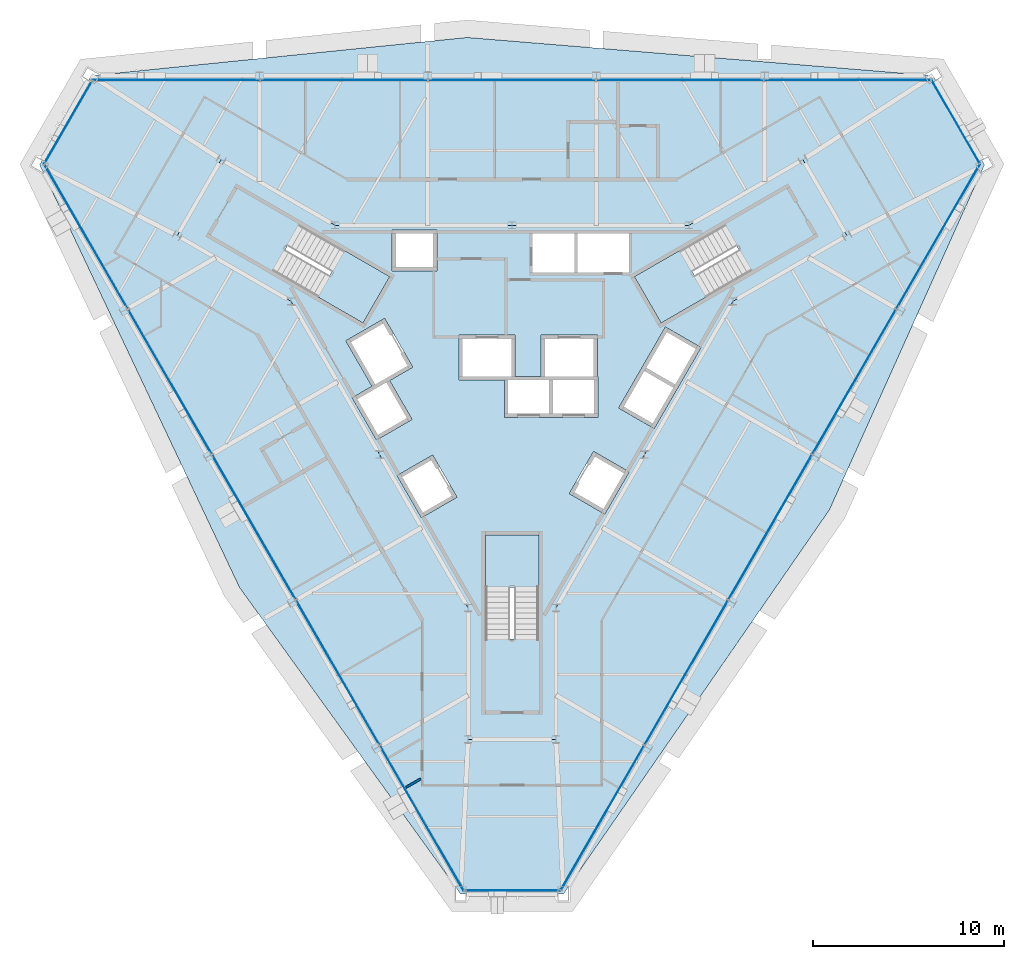
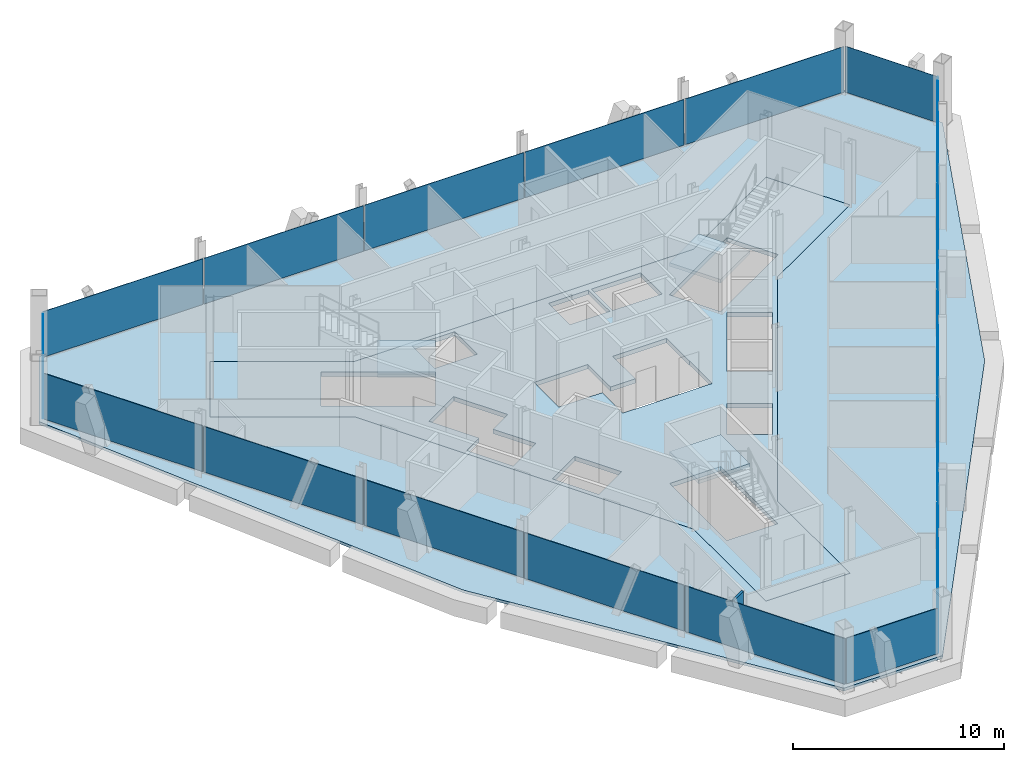
# One storey, part 8 of 14: 18 plates, 5 slabs, 1 wall, 9 elements without a shape of their own.
"""IFC4 building model written with IfcOpenShell, lengths in metres."""

from ifc_helpers import new_model, si_unit, direction, frame, frame_2d, origin, origin_2d, place, context, subcontext, project, spatial, polyline, rectangle, outline, extrude, material, layer, layer_set, type_object, element, aggregate, save


model = new_model("IFC4")

# Units and contexts
model_context = context("Model", 3, precision=1e-05, world=origin(), true_north=direction((0.0, 1.0)))
body_context = subcontext(model_context, "Body", "Model", "MODEL_VIEW")
ifc_project = project(units=[si_unit("LENGTHUNIT", "METRE"), si_unit("AREAUNIT", "SQUARE_METRE"), si_unit("VOLUMEUNIT", "CUBIC_METRE"), si_unit("PLANEANGLEUNIT", "RADIAN"), si_unit("MASSUNIT", "GRAM", prefix="KILO")], contexts=[model_context])

# Site, building, storey
site_placement = place(None, origin())
site = spatial("IfcSite", under=ifc_project, at=site_placement, CompositionType="ELEMENT")
building_placement = place(site_placement, origin())
building = spatial("IfcBuilding", under=site, at=building_placement, Name="Verrane Prism Tower", CompositionType="ELEMENT")
storey_placement = place(building_placement, frame((0.0, 0.0, 221.199951171875)))
storey = spatial("IfcBuildingStorey", under=building, at=storey_placement, Name="L55", CompositionType="ELEMENT", Elevation=221.199951171875)

# Slabs
ifc_material_1 = material(Name="Concrete C35/45", Category="concrete")
ifc_layer_1 = layer(ifc_material_1, 0.159912109375)
ifc_layer_set_1 = layer_set([ifc_layer_1], Name="Composite floor slab")
slab_type_1 = type_object("IfcSlabType", Name="Composite floor slab", PredefinedType="FLOOR", material=ifc_layer_set_1)
slab_1_placement = place(storey_placement, frame((0.0, 0.0, -0.159912109375)))
element("IfcSlab", 1, at=slab_1_placement, inside=storey, type_object=slab_type_1, Name="Floor slab L55", PredefinedType="FLOOR", context=body_context, shape_type="SweptSolid", body=[
    extrude(outline(polyline([(16.6162109375, -6.880126953125), (2.695068359375, -26.9921875), (-2.695068359375, -26.9921875), (-14.266357421875, -10.949951171875), (-24.723388671875, 11.162109375), (-22.0283203125, 15.830078125), (-2.349609375, 17.830078125), (22.0283203125, 15.830078125), (24.723388671875, 11.162109375), (16.6162109375, -6.880126953125)]), holes=[polyline([(17.52001953125, 7.4599609375), (15.219970703125, 11.43994140625), (9.260009765625, 8.0), (0.0, 8.0), (-9.260009765625, 8.0), (-15.219970703125, 11.43994140625), (-17.52001953125, 7.4599609375), (-11.56005859375, 4.02001953125), (-6.929931640625, -4.0), (-2.300048828125, -12.02001953125), (-2.300048828125, -18.89990234375), (2.300048828125, -18.89990234375), (2.300048828125, -12.02001953125), (6.929931640625, -4.0), (11.56005859375, 4.02001953125), (17.52001953125, 7.4599609375)])]), origin(), (0.0, 0.0, 1.0), 0.159912109375),
])
ifc_material_2 = material(Name="Concrete C40/50", Category="concrete")
ifc_layer_2 = layer(ifc_material_2, 0.25)
ifc_layer_set_2 = layer_set([ifc_layer_2], Name="Core floor slab 250 concrete C40/50")
slab_type_2 = type_object("IfcSlabType", Name="Core floor slab 250 concrete C40/50", PredefinedType="FLOOR", material=ifc_layer_set_2)
slab_2_placement = place(storey_placement, frame((0.0, 0.0, -0.25)))
element("IfcSlab", 2, at=slab_2_placement, inside=storey, type_object=slab_type_2, Name="Core floor L55", PredefinedType="FLOOR", context=body_context, shape_type="SweptSolid", body=[
    extrude(outline(polyline([(11.56005859375, 4.02001953125), (17.52001953125, 7.4599609375), (15.219970703125, 11.43994140625), (9.260009765625, 8.0), (0.0, 8.0), (-9.260009765625, 8.0), (-15.219970703125, 11.43994140625), (-17.52001953125, 7.4599609375), (-11.56005859375, 4.02001953125), (-6.929931640625, -4.0), (-2.300048828125, -12.02001953125), (-2.300048828125, -18.89990234375), (2.300048828125, -18.89990234375), (2.300048828125, -12.02001953125), (6.929931640625, -4.0), (11.56005859375, 4.02001953125)]), holes=[polyline([(1.39990234375, -8.199951171875), (1.39990234375, -13.639892578125), (-1.39990234375, -13.639892578125), (-1.39990234375, -8.199951171875), (1.39990234375, -8.199951171875)]), polyline([(-2.881103515625, -6.22998046875), (-4.742919921875, -7.304931640625), (-6.01806640625, -5.096923828125), (-4.156005859375, -4.02197265625), (-2.881103515625, -6.22998046875)]), polyline([(-7.801025390625, 2.887939453125), (-12.512939453125, 5.60791015625), (-11.113037109375, 8.031982421875), (-6.40087890625, 5.31201171875), (-7.801025390625, 2.887939453125)]), polyline([(-6.284912109375, 5.610107421875), (-6.284912109375, 7.760009765625), (-3.93505859375, 7.760009765625), (-3.93505859375, 5.610107421875), (-6.284912109375, 5.610107421875)]), polyline([(4.26611328125, -3.8310546875), (6.1279296875, -4.906005859375), (4.85302734375, -7.114990234375), (2.990966796875, -6.0400390625), (4.26611328125, -3.8310546875)]), polyline([(7.43798828125, -2.636962890625), (5.575927734375, -1.56201171875), (8.02587890625, 2.680908203125), (9.887939453125, 1.60595703125), (7.43798828125, -2.636962890625)]), polyline([(0.1650390625, 0.10009765625), (1.52490234375, 0.10009765625), (1.52490234375, 2.25), (4.47509765625, 2.25), (4.47509765625, 0.10009765625), (4.4951171875, 0.10009765625), (4.4951171875, -2.050048828125), (-0.405029296875, -2.050048828125), (-0.405029296875, -0.10009765625), (-2.784912109375, -0.10009765625), (-2.784912109375, 2.25), (0.1650390625, 2.25), (0.1650390625, 0.10009765625)]), polyline([(6.40087890625, 5.31201171875), (11.113037109375, 8.031982421875), (12.512939453125, 5.60791015625), (7.801025390625, 2.887939453125), (6.40087890625, 5.31201171875)]), polyline([(1.074951171875, 5.534912109375), (1.074951171875, 7.56005859375), (3.264892578125, 7.56005859375), (3.264892578125, 5.534912109375), (1.074951171875, 5.534912109375)]), polyline([(3.4150390625, 7.56005859375), (6.125, 7.56005859375), (6.125, 5.534912109375), (3.4150390625, 5.534912109375), (3.4150390625, 7.56005859375)]), polyline([(-5.23095703125, -2.159912109375), (-7.093017578125, -3.235107421875), (-8.367919921875, -1.02587890625), (-7.3291015625, -0.426025390625), (-8.7041015625, 1.955078125), (-6.66796875, 3.1298828125), (-5.193115234375, 0.574951171875), (-6.406005859375, -0.125), (-5.23095703125, -2.159912109375)])]), origin(), (0.0, 0.0, 1.0), 0.25),
])

# Curtain wall, plate
ifc_material_3 = material(Name="Aluminium framed insulated glazing", Category="aluminium")
curtain_wall_type_1 = type_object("IfcCurtainWallType", Name="Curtain wall CW-C 4200 module", PredefinedType="NOTDEFINED", material=ifc_material_3)
curtain_wall_1_placement = place(storey_placement, origin())
curtain_wall_1 = element("IfcCurtainWall", 3, at=curtain_wall_1_placement, inside=storey, type_object=curtain_wall_type_1, Name="Glazed curtain wall north-east corner L55", PredefinedType="NOTDEFINED")
ifc_material_4 = material(Name="Low-iron insulating glass unit", Category="glass")
ifc_layer_3 = layer(ifc_material_4, 0.02392578125)
ifc_layer_set_3 = layer_set([ifc_layer_3], Name="Glazing panel IGU 24")
plate_type_1 = type_object("IfcPlateType", Name="Glazing panel IGU 24", PredefinedType="CURTAIN_PANEL", material=ifc_layer_set_3)
plate_1_placement = place(storey_placement, frame((23.209716796875, 13.428955078125, 0.05029296875), z_axis=(0.0, 0.0, 1.0), x_axis=(-0.499995175981, 0.866028188915, 0.0)))
plate_1 = element("IfcPlate", 4, at=plate_1_placement, type_object=plate_type_1, Name="CW54.1 panel 1", PredefinedType="CURTAIN_PANEL", context=body_context, shape_type="SweptSolid", body=[
    extrude(rectangle(XDim=5.017822265625, YDim=0.02392578125, at=origin_2d()), origin(), (0.0, 0.0, 1.0), 2.662841796875),
])
aggregate(curtain_wall_1, [plate_1])

# Curtain wall, plates
ifc_material_5 = material(Name="Aluminium framed insulated glazing", Category="aluminium")
curtain_wall_type_2 = type_object("IfcCurtainWallType", Name="Curtain wall CW-A 8400 module", PredefinedType="NOTDEFINED", material=ifc_material_5)
curtain_wall_2_placement = place(storey_placement, origin())
curtain_wall_2 = element("IfcCurtainWall", 5, at=curtain_wall_2_placement, inside=storey, type_object=curtain_wall_type_2, Name="Glazed curtain wall north face L55", PredefinedType="NOTDEFINED")
ifc_material_6 = material(Name="Low-iron insulating glass unit", Category="glass")
ifc_layer_4 = layer(ifc_material_6, 0.031982421875)
ifc_layer_set_4 = layer_set([ifc_layer_4], Name="Glazing panel IGU 32")
plate_type_2 = type_object("IfcPlateType", Name="Glazing panel IGU 32", PredefinedType="CURTAIN_PANEL", material=ifc_layer_set_4)
plate_2_placement = place(storey_placement, frame((17.546630859375, 15.601806640625, 0.0703125), z_axis=(0.0, 0.0, 1.0), x_axis=(-1.0, 0.0, 0.0)))
plate_2 = element("IfcPlate", 6, at=plate_2_placement, type_object=plate_type_2, Name="CW54.2 panel 1", PredefinedType="CURTAIN_PANEL", context=body_context, shape_type="SweptSolid", body=[
    extrude(rectangle(XDim=8.677001953125, YDim=0.031982421875, at=origin_2d()), origin(), (0.0, 0.0, 1.0), 2.642822265625),
])
plate_3_placement = place(storey_placement, frame((8.7822265625, 15.601806640625, 0.0703125), z_axis=(0.0, 0.0, 1.0), x_axis=(-1.0, 0.0, 0.0)))
plate_3 = element("IfcPlate", 7, at=plate_3_placement, type_object=plate_type_2, Name="CW54.2 panel 2", PredefinedType="CURTAIN_PANEL", context=body_context, shape_type="SweptSolid", body=[
    extrude(rectangle(XDim=8.712158203125, YDim=0.031982421875, at=origin_2d()), origin(), (0.0, 0.0, 1.0), 2.642822265625),
])
plate_4_placement = place(storey_placement, frame((0.0, 15.601806640625, 0.0703125), z_axis=(0.0, 0.0, 1.0), x_axis=(-1.0, 0.0, 0.0)))
plate_4 = element("IfcPlate", 8, at=plate_4_placement, type_object=plate_type_2, Name="CW54.2 panel 3", PredefinedType="CURTAIN_PANEL", context=body_context, shape_type="SweptSolid", body=[
    extrude(rectangle(XDim=8.712158203125, YDim=0.031982421875, at=origin_2d()), origin(), (0.0, 0.0, 1.0), 2.642822265625),
])
plate_5_placement = place(storey_placement, frame((-8.7822265625, 15.601806640625, 0.0703125), z_axis=(0.0, 0.0, 1.0), x_axis=(-1.0, 0.0, 0.0)))
plate_5 = element("IfcPlate", 9, at=plate_5_placement, type_object=plate_type_2, Name="CW54.2 panel 4", PredefinedType="CURTAIN_PANEL", context=body_context, shape_type="SweptSolid", body=[
    extrude(rectangle(XDim=8.712158203125, YDim=0.031982421875, at=origin_2d()), origin(), (0.0, 0.0, 1.0), 2.642822265625),
])
plate_6_placement = place(storey_placement, frame((-17.581787109375, 15.601806640625, 0.0703125), z_axis=(0.0, 0.0, 1.0), x_axis=(-1.0, 0.0, 0.0)))
plate_6 = element("IfcPlate", 10, at=plate_6_placement, type_object=plate_type_2, Name="CW54.2 panel 5", PredefinedType="CURTAIN_PANEL", context=body_context, shape_type="SweptSolid", body=[
    extrude(rectangle(XDim=8.7470703125, YDim=0.031982421875, at=origin_2d()), origin(), (0.0, 0.0, 1.0), 2.642822265625),
])
aggregate(curtain_wall_2, [plate_2, plate_3, plate_4, plate_5, plate_6])

# Curtain wall, plate
curtain_wall_3_placement = place(storey_placement, origin())
curtain_wall_3 = element("IfcCurtainWall", 11, at=curtain_wall_3_placement, inside=storey, type_object=curtain_wall_type_2, Name="Glazed curtain wall north-west corner L55", PredefinedType="NOTDEFINED")
plate_7_placement = place(storey_placement, frame((-23.23974609375, 13.376953125, 0.0703125), z_axis=(0.0, 0.0, 1.0), x_axis=(-0.499995175981, -0.866028188915, 0.0)))
plate_7 = element("IfcPlate", 12, at=plate_7_placement, type_object=plate_type_2, Name="CW54.3 panel 1", PredefinedType="CURTAIN_PANEL", context=body_context, shape_type="SweptSolid", body=[
    extrude(rectangle(XDim=4.997802734375, YDim=0.031982421875, at=origin_2d()), origin(), (0.0, 0.0, 1.0), 2.642822265625),
])
aggregate(curtain_wall_3, [plate_7])

# Curtain wall, plates
curtain_wall_4_placement = place(storey_placement, origin())
curtain_wall_4 = element("IfcCurtainWall", 13, at=curtain_wall_4_placement, inside=storey, type_object=curtain_wall_type_2, Name="Glazed curtain wall south-west face L55", PredefinedType="NOTDEFINED")
plate_8_placement = place(storey_placement, frame((-22.284912109375, 7.39501953125, 0.0703125), z_axis=(0.0, 0.0, 1.0), x_axis=(0.500000937764, -0.866024862365, 0.0)))
plate_8 = element("IfcPlate", 14, at=plate_8_placement, type_object=plate_type_2, Name="CW54.4 panel 1", PredefinedType="CURTAIN_PANEL", context=body_context, shape_type="SweptSolid", body=[
    extrude(rectangle(XDim=8.677001953125, YDim=0.031982421875, at=origin_2d()), origin(), (0.0, 0.0, 1.0), 2.642822265625),
])
plate_9_placement = place(storey_placement, frame((-17.902587890625, -0.1953125, 0.0703125), z_axis=(0.0, 0.0, 1.0), x_axis=(0.500000937764, -0.866024862365, 0.0)))
plate_9 = element("IfcPlate", 15, at=plate_9_placement, type_object=plate_type_2, Name="CW54.4 panel 2", PredefinedType="CURTAIN_PANEL", context=body_context, shape_type="SweptSolid", body=[
    extrude(rectangle(XDim=8.712158203125, YDim=0.031982421875, at=origin_2d()), origin(), (0.0, 0.0, 1.0), 2.642822265625),
])
plate_10_placement = place(storey_placement, frame((-13.511474609375, -7.80078125, 0.0703125), z_axis=(0.0, 0.0, 1.0), x_axis=(0.500000937764, -0.866024862365, 0.0)))
plate_10 = element("IfcPlate", 16, at=plate_10_placement, type_object=plate_type_2, Name="CW54.4 panel 3", PredefinedType="CURTAIN_PANEL", context=body_context, shape_type="SweptSolid", body=[
    extrude(rectangle(XDim=8.712158203125, YDim=0.031982421875, at=origin_2d()), origin(), (0.0, 0.0, 1.0), 2.642822265625),
])
plate_11_placement = place(storey_placement, frame((-9.12060546875, -15.406494140625, 0.0703125), z_axis=(0.0, 0.0, 1.0), x_axis=(0.500000937764, -0.866024862365, 0.0)))
plate_11 = element("IfcPlate", 17, at=plate_11_placement, type_object=plate_type_2, Name="CW54.4 panel 4", PredefinedType="CURTAIN_PANEL", context=body_context, shape_type="SweptSolid", body=[
    extrude(rectangle(XDim=8.712158203125, YDim=0.031982421875, at=origin_2d()), origin(), (0.0, 0.0, 1.0), 2.642822265625),
])
plate_12_placement = place(storey_placement, frame((-4.720703125, -23.027099609375, 0.0703125), z_axis=(0.0, 0.0, 1.0), x_axis=(0.500000937764, -0.866024862365, 0.0)))
plate_12 = element("IfcPlate", 18, at=plate_12_placement, type_object=plate_type_2, Name="CW54.4 panel 5", PredefinedType="CURTAIN_PANEL", context=body_context, shape_type="SweptSolid", body=[
    extrude(rectangle(XDim=8.7470703125, YDim=0.031982421875, at=origin_2d()), origin(), (0.0, 0.0, 1.0), 2.642822265625),
])
aggregate(curtain_wall_4, [plate_8, plate_9, plate_10, plate_11, plate_12])

# Curtain wall, plate
curtain_wall_5_placement = place(storey_placement, origin())
curtain_wall_5 = element("IfcCurtainWall", 19, at=curtain_wall_5_placement, inside=storey, type_object=curtain_wall_type_2, Name="Glazed curtain wall south corner L55", PredefinedType="NOTDEFINED")
plate_13_placement = place(storey_placement, frame((0.034912109375, -26.814697265625, 0.0703125), z_axis=(0.0, 0.0, 1.0), x_axis=(1.0, 0.0, 0.0)))
plate_13 = element("IfcPlate", 20, at=plate_13_placement, type_object=plate_type_2, Name="CW54.5 panel 1", PredefinedType="CURTAIN_PANEL", context=body_context, shape_type="SweptSolid", body=[
    extrude(rectangle(XDim=4.997802734375, YDim=0.031982421875, at=origin_2d()), origin(), (0.0, 0.0, 1.0), 2.642822265625),
])
aggregate(curtain_wall_5, [plate_13])

# Curtain wall, plates
curtain_wall_6_placement = place(storey_placement, origin())
curtain_wall_6 = element("IfcCurtainWall", 21, at=curtain_wall_6_placement, inside=storey, type_object=curtain_wall_type_2, Name="Glazed curtain wall south-east face L55", PredefinedType="NOTDEFINED")
plate_14_placement = place(storey_placement, frame((4.73828125, -22.996826171875, 0.0703125), z_axis=(0.0, 0.0, 1.0), x_axis=(0.500000937764, 0.866024862365, 0.0)))
plate_14 = element("IfcPlate", 22, at=plate_14_placement, type_object=plate_type_2, Name="CW54.6 panel 1", PredefinedType="CURTAIN_PANEL", context=body_context, shape_type="SweptSolid", body=[
    extrude(rectangle(XDim=8.677001953125, YDim=0.031982421875, at=origin_2d()), origin(), (0.0, 0.0, 1.0), 2.642822265625),
])
plate_15_placement = place(storey_placement, frame((9.12060546875, -15.406494140625, 0.0703125), z_axis=(0.0, 0.0, 1.0), x_axis=(0.500000937764, 0.866024862365, 0.0)))
plate_15 = element("IfcPlate", 23, at=plate_15_placement, type_object=plate_type_2, Name="CW54.6 panel 2", PredefinedType="CURTAIN_PANEL", context=body_context, shape_type="SweptSolid", body=[
    extrude(rectangle(XDim=8.712158203125, YDim=0.031982421875, at=origin_2d()), origin(), (0.0, 0.0, 1.0), 2.642822265625),
])
plate_16_placement = place(storey_placement, frame((13.511474609375, -7.80078125, 0.0703125), z_axis=(0.0, 0.0, 1.0), x_axis=(0.500000937764, 0.866024862365, 0.0)))
plate_16 = element("IfcPlate", 24, at=plate_16_placement, type_object=plate_type_2, Name="CW54.6 panel 3", PredefinedType="CURTAIN_PANEL", context=body_context, shape_type="SweptSolid", body=[
    extrude(rectangle(XDim=8.712158203125, YDim=0.031982421875, at=origin_2d()), origin(), (0.0, 0.0, 1.0), 2.642822265625),
])
plate_17_placement = place(storey_placement, frame((17.902587890625, -0.1953125, 0.0703125), z_axis=(0.0, 0.0, 1.0), x_axis=(0.500000937764, 0.866024862365, 0.0)))
plate_17 = element("IfcPlate", 25, at=plate_17_placement, type_object=plate_type_2, Name="CW54.6 panel 4", PredefinedType="CURTAIN_PANEL", context=body_context, shape_type="SweptSolid", body=[
    extrude(rectangle(XDim=8.712158203125, YDim=0.031982421875, at=origin_2d()), origin(), (0.0, 0.0, 1.0), 2.642822265625),
])
plate_18_placement = place(storey_placement, frame((22.302490234375, 7.42529296875, 0.0703125), z_axis=(0.0, 0.0, 1.0), x_axis=(0.500000937764, 0.866024862365, 0.0)))
plate_18 = element("IfcPlate", 26, at=plate_18_placement, type_object=plate_type_2, Name="CW54.6 panel 5", PredefinedType="CURTAIN_PANEL", context=body_context, shape_type="SweptSolid", body=[
    extrude(rectangle(XDim=8.7470703125, YDim=0.031982421875, at=origin_2d()), origin(), (0.0, 0.0, 1.0), 2.642822265625),
])
aggregate(curtain_wall_6, [plate_14, plate_15, plate_16, plate_17, plate_18])

# Stair, slab
ifc_material_7 = material(Name="Concrete C40/50", Category="concrete")
stair_type = type_object("IfcStairType", Name="Exit stair 1300 dog-leg precast concrete C40/50", PredefinedType="HALF_TURN_STAIR", material=ifc_material_7)
stair_1_placement = place(storey_placement, origin())
stair_1 = element("IfcStair", 27, at=stair_1_placement, inside=storey, type_object=stair_type, Name="Stair 1 L55", PredefinedType="HALF_TURN_STAIR")
ifc_material_8 = material(Name="Concrete C40/50", Category="concrete")
ifc_layer_5 = layer(ifc_material_8, 0.199951171875)
ifc_layer_set_5 = layer_set([ifc_layer_5], Name="Stair landing 200 precast concrete C40/50")
slab_type_3 = type_object("IfcSlabType", Name="Stair landing 200 precast concrete C40/50", PredefinedType="LANDING", material=ifc_layer_set_5)
slab_3_placement = place(storey_placement, frame((0.0, 0.0, 1.650146484375)))
slab_3 = element("IfcSlab", 28, at=slab_3_placement, type_object=slab_type_3, Name="Stair 1 landing 1", PredefinedType="LANDING", context=body_context, shape_type="SweptSolid", body=[
    extrude(outline(polyline([(8.791748046875, 6.6923828125), (6.4013671875, 5.3125), (7.801513671875, 2.887451171875), (10.191650390625, 4.267578125), (8.791748046875, 6.6923828125)])), origin(), (0.0, 0.0, 1.0), 0.199951171875),
])
aggregate(stair_1, [slab_3])

stair_2_placement = place(storey_placement, origin())
stair_2 = element("IfcStair", 29, at=stair_2_placement, inside=storey, type_object=stair_type, Name="Stair 2 L55", PredefinedType="HALF_TURN_STAIR")
slab_4_placement = place(storey_placement, frame((0.0, 0.0, 1.650146484375)))
slab_4 = element("IfcSlab", 30, at=slab_4_placement, type_object=slab_type_3, Name="Stair 2 landing 1", PredefinedType="LANDING", context=body_context, shape_type="SweptSolid", body=[
    extrude(outline(polyline([(-10.191650390625, 4.267578125), (-7.801513671875, 2.887451171875), (-6.4013671875, 5.3125), (-8.791748046875, 6.6923828125), (-10.191650390625, 4.267578125)])), origin(), (0.0, 0.0, 1.0), 0.199951171875),
])
aggregate(stair_2, [slab_4])

stair_3_placement = place(storey_placement, origin())
stair_3 = element("IfcStair", 31, at=stair_3_placement, inside=storey, type_object=stair_type, Name="Stair 3 L55", PredefinedType="HALF_TURN_STAIR")
slab_5_placement = place(storey_placement, frame((0.0, 0.0, 1.650146484375)))
slab_5 = element("IfcSlab", 32, at=slab_5_placement, type_object=slab_type_3, Name="Stair 3 landing 1", PredefinedType="LANDING", context=body_context, shape_type="SweptSolid", body=[
    extrude(outline(polyline([(1.39990234375, -10.9599609375), (1.39990234375, -8.199951171875), (-1.39990234375, -8.199951171875), (-1.39990234375, -10.9599609375), (1.39990234375, -10.9599609375)])), origin(), (0.0, 0.0, 1.0), 0.199951171875),
])
aggregate(stair_3, [slab_5])

# Wall
ifc_material_9 = material(Name="Gypsum board partition", Category="other")
ifc_layer_6 = layer(ifc_material_9, 0.125)
ifc_layer_set_6 = layer_set([ifc_layer_6], Name="PW-125 corridor wall 1 h")
wall_type = type_object("IfcWallType", Name="PW-125 corridor wall 1 h", PredefinedType="PARTITIONING", material=ifc_layer_set_6)
wall_placement = place(storey_placement, frame((-5.5439453125, -21.4091796875, 0.0), z_axis=(0.0, 0.0, 1.0), x_axis=(0.866089597041, 0.499888797531, 0.0)))
element("IfcWall", 33, at=wall_placement, inside=storey, type_object=wall_type, Name="Corridor wall 017", PredefinedType="PARTITIONING", context=body_context, shape_type="SweptSolid", body=[
    extrude(rectangle(XDim=0.889404296875, YDim=0.125, at=frame_2d((0.44482421875, 0.0))), origin(), (0.0, 0.0, 1.0), 2.713134765625),
])

save(model, "model.ifc")
